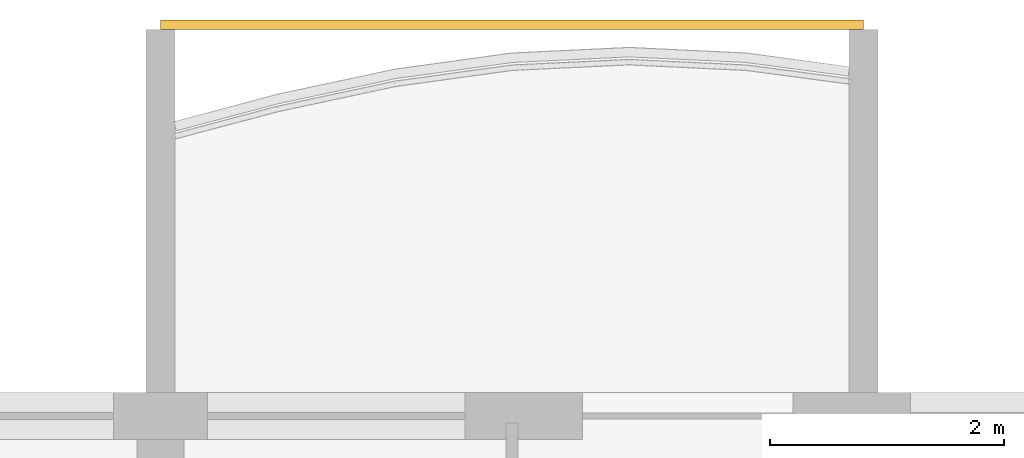
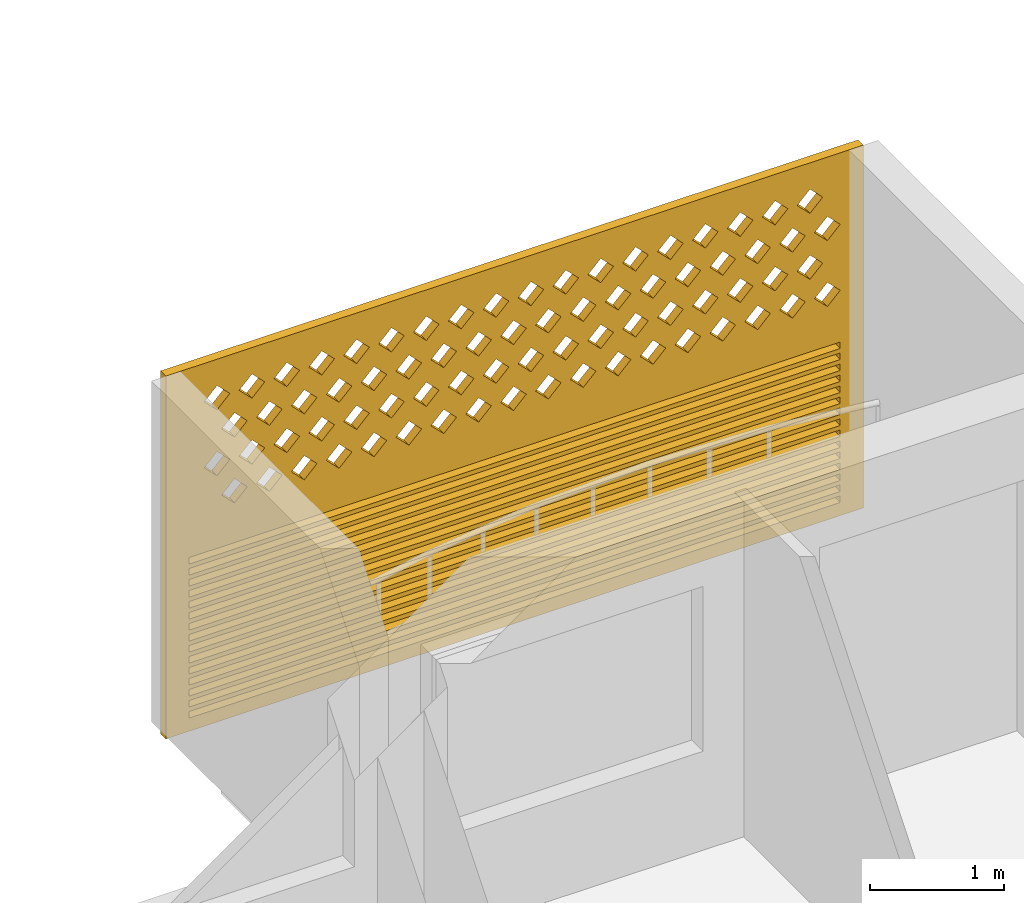
# One storey, part 29 of 40: 1 covering.
"""IFC4 building model written with IfcOpenShell, lengths in metres."""

from ifc_helpers import new_model, si_unit, direction, frame, origin, place, context, subcontext, project, spatial, polyline, outline, extrude, source, transform, mapped, material, material_profile, profile_set, type_object, element, save


model = new_model("IFC4")

# Units and contexts
model_context = context("Model", 3, precision=1e-05, world=origin(), true_north=direction((0.0, 1.0)))
body_context = subcontext(model_context, "Body", "Model", "MODEL_VIEW")
ifc_project = project(units=[si_unit("LENGTHUNIT", "METRE"), si_unit("AREAUNIT", "SQUARE_METRE"), si_unit("VOLUMEUNIT", "CUBIC_METRE"), si_unit("PLANEANGLEUNIT", "RADIAN"), si_unit("MASSUNIT", "GRAM", prefix="KILO")], contexts=[model_context])

# Site, building, storey
site_placement = place(None, origin())
site = spatial("IfcSite", under=ifc_project, at=site_placement, CompositionType="ELEMENT")
building_placement = place(site_placement, origin())
building = spatial("IfcBuilding", under=site, at=building_placement, Name="Poui Terraces", CompositionType="ELEMENT")
storey_placement = place(building_placement, frame((0.0, 0.0, 33.300048828125)))
storey = spatial("IfcBuildingStorey", under=building, at=storey_placement, Name="L08", CompositionType="ELEMENT", Elevation=33.300048828125)

# Covering
ifc_material = material(Name="Terracotta screen", Category="masonry")
ifc_material_profile = material_profile(ifc_material, outline(polyline([(-3.0, -1.64990234375), (3.0, -1.64990234375), (3.0, 1.64990234375), (-3.0, 1.64990234375), (-3.0, -1.64990234375)]), holes=[polyline([(-2.800048828125, 0.39990234375), (-2.68994140625, 0.2900390625), (-2.580078125, 0.39990234375), (-2.68994140625, 0.510009765625), (-2.800048828125, 0.39990234375)]), polyline([(-2.5, 0.39990234375), (-2.389892578125, 0.2900390625), (-2.280029296875, 0.39990234375), (-2.389892578125, 0.510009765625), (-2.5, 0.39990234375)]), polyline([(-2.199951171875, 0.39990234375), (-2.090087890625, 0.2900390625), (-1.97998046875, 0.39990234375), (-2.090087890625, 0.510009765625), (-2.199951171875, 0.39990234375)]), polyline([(-1.89990234375, 0.39990234375), (-1.7900390625, 0.2900390625), (-1.679931640625, 0.39990234375), (-1.7900390625, 0.510009765625), (-1.89990234375, 0.39990234375)]), polyline([(-1.60009765625, 0.39990234375), (-1.489990234375, 0.2900390625), (-1.3798828125, 0.39990234375), (-1.489990234375, 0.510009765625), (-1.60009765625, 0.39990234375)]), polyline([(-1.300048828125, 0.39990234375), (-1.18994140625, 0.2900390625), (-1.080078125, 0.39990234375), (-1.18994140625, 0.510009765625), (-1.300048828125, 0.39990234375)]), polyline([(-1.0, 0.39990234375), (-0.889892578125, 0.2900390625), (-0.780029296875, 0.39990234375), (-0.889892578125, 0.510009765625), (-1.0, 0.39990234375)]), polyline([(-0.699951171875, 0.39990234375), (-0.590087890625, 0.2900390625), (-0.47998046875, 0.39990234375), (-0.590087890625, 0.510009765625), (-0.699951171875, 0.39990234375)]), polyline([(-0.39990234375, 0.39990234375), (-0.2900390625, 0.2900390625), (-0.179931640625, 0.39990234375), (-0.2900390625, 0.510009765625), (-0.39990234375, 0.39990234375)]), polyline([(-0.10009765625, 0.39990234375), (0.010009765625, 0.2900390625), (0.1201171875, 0.39990234375), (0.010009765625, 0.510009765625), (-0.10009765625, 0.39990234375)]), polyline([(0.199951171875, 0.39990234375), (0.31005859375, 0.2900390625), (0.419921875, 0.39990234375), (0.31005859375, 0.510009765625), (0.199951171875, 0.39990234375)]), polyline([(0.5, 0.39990234375), (0.610107421875, 0.2900390625), (0.719970703125, 0.39990234375), (0.610107421875, 0.510009765625), (0.5, 0.39990234375)]), polyline([(0.800048828125, 0.39990234375), (0.909912109375, 0.2900390625), (1.02001953125, 0.39990234375), (0.909912109375, 0.510009765625), (0.800048828125, 0.39990234375)]), polyline([(1.10009765625, 0.39990234375), (1.2099609375, 0.2900390625), (1.320068359375, 0.39990234375), (1.2099609375, 0.510009765625), (1.10009765625, 0.39990234375)]), polyline([(1.39990234375, 0.39990234375), (1.510009765625, 0.2900390625), (1.6201171875, 0.39990234375), (1.510009765625, 0.510009765625), (1.39990234375, 0.39990234375)]), polyline([(1.699951171875, 0.39990234375), (1.81005859375, 0.2900390625), (1.919921875, 0.39990234375), (1.81005859375, 0.510009765625), (1.699951171875, 0.39990234375)]), polyline([(2.0, 0.39990234375), (2.110107421875, 0.2900390625), (2.219970703125, 0.39990234375), (2.110107421875, 0.510009765625), (2.0, 0.39990234375)]), polyline([(2.300048828125, 0.39990234375), (2.409912109375, 0.2900390625), (2.52001953125, 0.39990234375), (2.409912109375, 0.510009765625), (2.300048828125, 0.39990234375)]), polyline([(-2.64990234375, 0.699951171875), (-2.5400390625, 0.590087890625), (-2.429931640625, 0.699951171875), (-2.5400390625, 0.81005859375), (-2.64990234375, 0.699951171875)]), polyline([(-2.35009765625, 0.699951171875), (-2.239990234375, 0.590087890625), (-2.1298828125, 0.699951171875), (-2.239990234375, 0.81005859375), (-2.35009765625, 0.699951171875)]), polyline([(-2.050048828125, 0.699951171875), (-1.93994140625, 0.590087890625), (-1.830078125, 0.699951171875), (-1.93994140625, 0.81005859375), (-2.050048828125, 0.699951171875)]), polyline([(-1.75, 0.699951171875), (-1.639892578125, 0.590087890625), (-1.530029296875, 0.699951171875), (-1.639892578125, 0.81005859375), (-1.75, 0.699951171875)]), polyline([(-1.449951171875, 0.699951171875), (-1.340087890625, 0.590087890625), (-1.22998046875, 0.699951171875), (-1.340087890625, 0.81005859375), (-1.449951171875, 0.699951171875)]), polyline([(-1.14990234375, 0.699951171875), (-1.0400390625, 0.590087890625), (-0.929931640625, 0.699951171875), (-1.0400390625, 0.81005859375), (-1.14990234375, 0.699951171875)]), polyline([(-0.85009765625, 0.699951171875), (-0.739990234375, 0.590087890625), (-0.6298828125, 0.699951171875), (-0.739990234375, 0.81005859375), (-0.85009765625, 0.699951171875)]), polyline([(-0.550048828125, 0.699951171875), (-0.43994140625, 0.590087890625), (-0.330078125, 0.699951171875), (-0.43994140625, 0.81005859375), (-0.550048828125, 0.699951171875)]), polyline([(-0.25, 0.699951171875), (-0.139892578125, 0.590087890625), (-0.030029296875, 0.699951171875), (-0.139892578125, 0.81005859375), (-0.25, 0.699951171875)]), polyline([(0.050048828125, 0.699951171875), (0.159912109375, 0.590087890625), (0.27001953125, 0.699951171875), (0.159912109375, 0.81005859375), (0.050048828125, 0.699951171875)]), polyline([(0.35009765625, 0.699951171875), (0.4599609375, 0.590087890625), (0.570068359375, 0.699951171875), (0.4599609375, 0.81005859375), (0.35009765625, 0.699951171875)]), polyline([(0.64990234375, 0.699951171875), (0.760009765625, 0.590087890625), (0.8701171875, 0.699951171875), (0.760009765625, 0.81005859375), (0.64990234375, 0.699951171875)]), polyline([(0.949951171875, 0.699951171875), (1.06005859375, 0.590087890625), (1.169921875, 0.699951171875), (1.06005859375, 0.81005859375), (0.949951171875, 0.699951171875)]), polyline([(1.25, 0.699951171875), (1.360107421875, 0.590087890625), (1.469970703125, 0.699951171875), (1.360107421875, 0.81005859375), (1.25, 0.699951171875)]), polyline([(1.550048828125, 0.699951171875), (1.659912109375, 0.590087890625), (1.77001953125, 0.699951171875), (1.659912109375, 0.81005859375), (1.550048828125, 0.699951171875)]), polyline([(1.85009765625, 0.699951171875), (1.9599609375, 0.590087890625), (2.070068359375, 0.699951171875), (1.9599609375, 0.81005859375), (1.85009765625, 0.699951171875)]), polyline([(2.14990234375, 0.699951171875), (2.260009765625, 0.590087890625), (2.3701171875, 0.699951171875), (2.260009765625, 0.81005859375), (2.14990234375, 0.699951171875)]), polyline([(2.449951171875, 0.699951171875), (2.56005859375, 0.590087890625), (2.669921875, 0.699951171875), (2.56005859375, 0.81005859375), (2.449951171875, 0.699951171875)]), polyline([(-2.800048828125, 1.0), (-2.68994140625, 0.889892578125), (-2.580078125, 1.0), (-2.68994140625, 1.110107421875), (-2.800048828125, 1.0)]), polyline([(-2.5, 1.0), (-2.389892578125, 0.889892578125), (-2.280029296875, 1.0), (-2.389892578125, 1.110107421875), (-2.5, 1.0)]), polyline([(-2.199951171875, 1.0), (-2.090087890625, 0.889892578125), (-1.97998046875, 1.0), (-2.090087890625, 1.110107421875), (-2.199951171875, 1.0)]), polyline([(-1.89990234375, 1.0), (-1.7900390625, 0.889892578125), (-1.679931640625, 1.0), (-1.7900390625, 1.110107421875), (-1.89990234375, 1.0)]), polyline([(-1.60009765625, 1.0), (-1.489990234375, 0.889892578125), (-1.3798828125, 1.0), (-1.489990234375, 1.110107421875), (-1.60009765625, 1.0)]), polyline([(-1.300048828125, 1.0), (-1.18994140625, 0.889892578125), (-1.080078125, 1.0), (-1.18994140625, 1.110107421875), (-1.300048828125, 1.0)]), polyline([(-1.0, 1.0), (-0.889892578125, 0.889892578125), (-0.780029296875, 1.0), (-0.889892578125, 1.110107421875), (-1.0, 1.0)]), polyline([(-0.699951171875, 1.0), (-0.590087890625, 0.889892578125), (-0.47998046875, 1.0), (-0.590087890625, 1.110107421875), (-0.699951171875, 1.0)]), polyline([(-0.39990234375, 1.0), (-0.2900390625, 0.889892578125), (-0.179931640625, 1.0), (-0.2900390625, 1.110107421875), (-0.39990234375, 1.0)]), polyline([(-0.10009765625, 1.0), (0.010009765625, 0.889892578125), (0.1201171875, 1.0), (0.010009765625, 1.110107421875), (-0.10009765625, 1.0)]), polyline([(0.199951171875, 1.0), (0.31005859375, 0.889892578125), (0.419921875, 1.0), (0.31005859375, 1.110107421875), (0.199951171875, 1.0)]), polyline([(0.5, 1.0), (0.610107421875, 0.889892578125), (0.719970703125, 1.0), (0.610107421875, 1.110107421875), (0.5, 1.0)]), polyline([(0.800048828125, 1.0), (0.909912109375, 0.889892578125), (1.02001953125, 1.0), (0.909912109375, 1.110107421875), (0.800048828125, 1.0)]), polyline([(1.10009765625, 1.0), (1.2099609375, 0.889892578125), (1.320068359375, 1.0), (1.2099609375, 1.110107421875), (1.10009765625, 1.0)]), polyline([(1.39990234375, 1.0), (1.510009765625, 0.889892578125), (1.6201171875, 1.0), (1.510009765625, 1.110107421875), (1.39990234375, 1.0)]), polyline([(1.699951171875, 1.0), (1.81005859375, 0.889892578125), (1.919921875, 1.0), (1.81005859375, 1.110107421875), (1.699951171875, 1.0)]), polyline([(2.0, 1.0), (2.110107421875, 0.889892578125), (2.219970703125, 1.0), (2.110107421875, 1.110107421875), (2.0, 1.0)]), polyline([(2.300048828125, 1.0), (2.409912109375, 0.889892578125), (2.52001953125, 1.0), (2.409912109375, 1.110107421875), (2.300048828125, 1.0)]), polyline([(-2.64990234375, 1.300048828125), (-2.5400390625, 1.18994140625), (-2.429931640625, 1.300048828125), (-2.5400390625, 1.409912109375), (-2.64990234375, 1.300048828125)]), polyline([(-2.35009765625, 1.300048828125), (-2.239990234375, 1.18994140625), (-2.1298828125, 1.300048828125), (-2.239990234375, 1.409912109375), (-2.35009765625, 1.300048828125)]), polyline([(-2.050048828125, 1.300048828125), (-1.93994140625, 1.18994140625), (-1.830078125, 1.300048828125), (-1.93994140625, 1.409912109375), (-2.050048828125, 1.300048828125)]), polyline([(-1.75, 1.300048828125), (-1.639892578125, 1.18994140625), (-1.530029296875, 1.300048828125), (-1.639892578125, 1.409912109375), (-1.75, 1.300048828125)]), polyline([(-1.449951171875, 1.300048828125), (-1.340087890625, 1.18994140625), (-1.22998046875, 1.300048828125), (-1.340087890625, 1.409912109375), (-1.449951171875, 1.300048828125)]), polyline([(-1.14990234375, 1.300048828125), (-1.0400390625, 1.18994140625), (-0.929931640625, 1.300048828125), (-1.0400390625, 1.409912109375), (-1.14990234375, 1.300048828125)]), polyline([(-0.85009765625, 1.300048828125), (-0.739990234375, 1.18994140625), (-0.6298828125, 1.300048828125), (-0.739990234375, 1.409912109375), (-0.85009765625, 1.300048828125)]), polyline([(-0.550048828125, 1.300048828125), (-0.43994140625, 1.18994140625), (-0.330078125, 1.300048828125), (-0.43994140625, 1.409912109375), (-0.550048828125, 1.300048828125)]), polyline([(-0.25, 1.300048828125), (-0.139892578125, 1.18994140625), (-0.030029296875, 1.300048828125), (-0.139892578125, 1.409912109375), (-0.25, 1.300048828125)]), polyline([(0.050048828125, 1.300048828125), (0.159912109375, 1.18994140625), (0.27001953125, 1.300048828125), (0.159912109375, 1.409912109375), (0.050048828125, 1.300048828125)]), polyline([(0.35009765625, 1.300048828125), (0.4599609375, 1.18994140625), (0.570068359375, 1.300048828125), (0.4599609375, 1.409912109375), (0.35009765625, 1.300048828125)]), polyline([(0.64990234375, 1.300048828125), (0.760009765625, 1.18994140625), (0.8701171875, 1.300048828125), (0.760009765625, 1.409912109375), (0.64990234375, 1.300048828125)]), polyline([(0.949951171875, 1.300048828125), (1.06005859375, 1.18994140625), (1.169921875, 1.300048828125), (1.06005859375, 1.409912109375), (0.949951171875, 1.300048828125)]), polyline([(1.25, 1.300048828125), (1.360107421875, 1.18994140625), (1.469970703125, 1.300048828125), (1.360107421875, 1.409912109375), (1.25, 1.300048828125)]), polyline([(1.550048828125, 1.300048828125), (1.659912109375, 1.18994140625), (1.77001953125, 1.300048828125), (1.659912109375, 1.409912109375), (1.550048828125, 1.300048828125)]), polyline([(1.85009765625, 1.300048828125), (1.9599609375, 1.18994140625), (2.070068359375, 1.300048828125), (1.9599609375, 1.409912109375), (1.85009765625, 1.300048828125)]), polyline([(2.14990234375, 1.300048828125), (2.260009765625, 1.18994140625), (2.3701171875, 1.300048828125), (2.260009765625, 1.409912109375), (2.14990234375, 1.300048828125)]), polyline([(2.449951171875, 1.300048828125), (2.56005859375, 1.18994140625), (2.669921875, 1.300048828125), (2.56005859375, 1.409912109375), (2.449951171875, 1.300048828125)]), polyline([(-2.800048828125, -1.530029296875), (2.800048828125, -1.530029296875), (2.800048828125, -1.469970703125), (-2.800048828125, -1.469970703125), (-2.800048828125, -1.530029296875)]), polyline([(-2.800048828125, -1.429931640625), (2.800048828125, -1.429931640625), (2.800048828125, -1.3701171875), (-2.800048828125, -1.3701171875), (-2.800048828125, -1.429931640625)]), polyline([(-2.800048828125, -1.330078125), (2.800048828125, -1.330078125), (2.800048828125, -1.27001953125), (-2.800048828125, -1.27001953125), (-2.800048828125, -1.330078125)]), polyline([(-2.800048828125, -1.22998046875), (2.800048828125, -1.22998046875), (2.800048828125, -1.169921875), (-2.800048828125, -1.169921875), (-2.800048828125, -1.22998046875)]), polyline([(-2.800048828125, -1.1298828125), (2.800048828125, -1.1298828125), (2.800048828125, -1.070068359375), (-2.800048828125, -1.070068359375), (-2.800048828125, -1.1298828125)]), polyline([(-2.800048828125, -1.030029296875), (2.800048828125, -1.030029296875), (2.800048828125, -0.969970703125), (-2.800048828125, -0.969970703125), (-2.800048828125, -1.030029296875)]), polyline([(-2.800048828125, -0.929931640625), (2.800048828125, -0.929931640625), (2.800048828125, -0.8701171875), (-2.800048828125, -0.8701171875), (-2.800048828125, -0.929931640625)]), polyline([(-2.800048828125, -0.830078125), (2.800048828125, -0.830078125), (2.800048828125, -0.77001953125), (-2.800048828125, -0.77001953125), (-2.800048828125, -0.830078125)]), polyline([(-2.800048828125, -0.72998046875), (2.800048828125, -0.72998046875), (2.800048828125, -0.669921875), (-2.800048828125, -0.669921875), (-2.800048828125, -0.72998046875)]), polyline([(-2.800048828125, -0.6298828125), (2.800048828125, -0.6298828125), (2.800048828125, -0.570068359375), (-2.800048828125, -0.570068359375), (-2.800048828125, -0.6298828125)]), polyline([(-2.800048828125, -0.530029296875), (2.800048828125, -0.530029296875), (2.800048828125, -0.469970703125), (-2.800048828125, -0.469970703125), (-2.800048828125, -0.530029296875)]), polyline([(-2.800048828125, -0.429931640625), (2.800048828125, -0.429931640625), (2.800048828125, -0.3701171875), (-2.800048828125, -0.3701171875), (-2.800048828125, -0.429931640625)]), polyline([(-2.800048828125, -0.330078125), (2.800048828125, -0.330078125), (2.800048828125, -0.27001953125), (-2.800048828125, -0.27001953125), (-2.800048828125, -0.330078125)]), polyline([(-2.800048828125, -0.22998046875), (2.800048828125, -0.22998046875), (2.800048828125, -0.169921875), (-2.800048828125, -0.169921875), (-2.800048828125, -0.22998046875)]), polyline([(-2.800048828125, -0.1298828125), (2.800048828125, -0.1298828125), (2.800048828125, -0.070068359375), (-2.800048828125, -0.070068359375), (-2.800048828125, -0.1298828125)])]), Name="TERRACOTTA SCREEN AND JALOUSIE LOUVRE 6000X3300")
ifc_profile_set = profile_set([ifc_material_profile], Name="Terracotta screen")
covering_type = type_object("IfcCoveringType", Name="TERRACOTTA SCREEN AND JALOUSIE LOUVRE 6000X3300", PredefinedType="CLADDING", material=ifc_profile_set)
shared_shape = source(origin(), body_context, "Body", "SweptSolid", [
    extrude(outline(polyline([(-3.0, -1.64990234375), (3.0, -1.64990234375), (3.0, 1.64990234375), (-3.0, 1.64990234375), (-3.0, -1.64990234375)]), holes=[polyline([(-2.800048828125, 0.39990234375), (-2.68994140625, 0.2900390625), (-2.580078125, 0.39990234375), (-2.68994140625, 0.510009765625), (-2.800048828125, 0.39990234375)]), polyline([(-2.5, 0.39990234375), (-2.389892578125, 0.2900390625), (-2.280029296875, 0.39990234375), (-2.389892578125, 0.510009765625), (-2.5, 0.39990234375)]), polyline([(-2.199951171875, 0.39990234375), (-2.090087890625, 0.2900390625), (-1.97998046875, 0.39990234375), (-2.090087890625, 0.510009765625), (-2.199951171875, 0.39990234375)]), polyline([(-1.89990234375, 0.39990234375), (-1.7900390625, 0.2900390625), (-1.679931640625, 0.39990234375), (-1.7900390625, 0.510009765625), (-1.89990234375, 0.39990234375)]), polyline([(-1.60009765625, 0.39990234375), (-1.489990234375, 0.2900390625), (-1.3798828125, 0.39990234375), (-1.489990234375, 0.510009765625), (-1.60009765625, 0.39990234375)]), polyline([(-1.300048828125, 0.39990234375), (-1.18994140625, 0.2900390625), (-1.080078125, 0.39990234375), (-1.18994140625, 0.510009765625), (-1.300048828125, 0.39990234375)]), polyline([(-1.0, 0.39990234375), (-0.889892578125, 0.2900390625), (-0.780029296875, 0.39990234375), (-0.889892578125, 0.510009765625), (-1.0, 0.39990234375)]), polyline([(-0.699951171875, 0.39990234375), (-0.590087890625, 0.2900390625), (-0.47998046875, 0.39990234375), (-0.590087890625, 0.510009765625), (-0.699951171875, 0.39990234375)]), polyline([(-0.39990234375, 0.39990234375), (-0.2900390625, 0.2900390625), (-0.179931640625, 0.39990234375), (-0.2900390625, 0.510009765625), (-0.39990234375, 0.39990234375)]), polyline([(-0.10009765625, 0.39990234375), (0.010009765625, 0.2900390625), (0.1201171875, 0.39990234375), (0.010009765625, 0.510009765625), (-0.10009765625, 0.39990234375)]), polyline([(0.199951171875, 0.39990234375), (0.31005859375, 0.2900390625), (0.419921875, 0.39990234375), (0.31005859375, 0.510009765625), (0.199951171875, 0.39990234375)]), polyline([(0.5, 0.39990234375), (0.610107421875, 0.2900390625), (0.719970703125, 0.39990234375), (0.610107421875, 0.510009765625), (0.5, 0.39990234375)]), polyline([(0.800048828125, 0.39990234375), (0.909912109375, 0.2900390625), (1.02001953125, 0.39990234375), (0.909912109375, 0.510009765625), (0.800048828125, 0.39990234375)]), polyline([(1.10009765625, 0.39990234375), (1.2099609375, 0.2900390625), (1.320068359375, 0.39990234375), (1.2099609375, 0.510009765625), (1.10009765625, 0.39990234375)]), polyline([(1.39990234375, 0.39990234375), (1.510009765625, 0.2900390625), (1.6201171875, 0.39990234375), (1.510009765625, 0.510009765625), (1.39990234375, 0.39990234375)]), polyline([(1.699951171875, 0.39990234375), (1.81005859375, 0.2900390625), (1.919921875, 0.39990234375), (1.81005859375, 0.510009765625), (1.699951171875, 0.39990234375)]), polyline([(2.0, 0.39990234375), (2.110107421875, 0.2900390625), (2.219970703125, 0.39990234375), (2.110107421875, 0.510009765625), (2.0, 0.39990234375)]), polyline([(2.300048828125, 0.39990234375), (2.409912109375, 0.2900390625), (2.52001953125, 0.39990234375), (2.409912109375, 0.510009765625), (2.300048828125, 0.39990234375)]), polyline([(-2.64990234375, 0.699951171875), (-2.5400390625, 0.590087890625), (-2.429931640625, 0.699951171875), (-2.5400390625, 0.81005859375), (-2.64990234375, 0.699951171875)]), polyline([(-2.35009765625, 0.699951171875), (-2.239990234375, 0.590087890625), (-2.1298828125, 0.699951171875), (-2.239990234375, 0.81005859375), (-2.35009765625, 0.699951171875)]), polyline([(-2.050048828125, 0.699951171875), (-1.93994140625, 0.590087890625), (-1.830078125, 0.699951171875), (-1.93994140625, 0.81005859375), (-2.050048828125, 0.699951171875)]), polyline([(-1.75, 0.699951171875), (-1.639892578125, 0.590087890625), (-1.530029296875, 0.699951171875), (-1.639892578125, 0.81005859375), (-1.75, 0.699951171875)]), polyline([(-1.449951171875, 0.699951171875), (-1.340087890625, 0.590087890625), (-1.22998046875, 0.699951171875), (-1.340087890625, 0.81005859375), (-1.449951171875, 0.699951171875)]), polyline([(-1.14990234375, 0.699951171875), (-1.0400390625, 0.590087890625), (-0.929931640625, 0.699951171875), (-1.0400390625, 0.81005859375), (-1.14990234375, 0.699951171875)]), polyline([(-0.85009765625, 0.699951171875), (-0.739990234375, 0.590087890625), (-0.6298828125, 0.699951171875), (-0.739990234375, 0.81005859375), (-0.85009765625, 0.699951171875)]), polyline([(-0.550048828125, 0.699951171875), (-0.43994140625, 0.590087890625), (-0.330078125, 0.699951171875), (-0.43994140625, 0.81005859375), (-0.550048828125, 0.699951171875)]), polyline([(-0.25, 0.699951171875), (-0.139892578125, 0.590087890625), (-0.030029296875, 0.699951171875), (-0.139892578125, 0.81005859375), (-0.25, 0.699951171875)]), polyline([(0.050048828125, 0.699951171875), (0.159912109375, 0.590087890625), (0.27001953125, 0.699951171875), (0.159912109375, 0.81005859375), (0.050048828125, 0.699951171875)]), polyline([(0.35009765625, 0.699951171875), (0.4599609375, 0.590087890625), (0.570068359375, 0.699951171875), (0.4599609375, 0.81005859375), (0.35009765625, 0.699951171875)]), polyline([(0.64990234375, 0.699951171875), (0.760009765625, 0.590087890625), (0.8701171875, 0.699951171875), (0.760009765625, 0.81005859375), (0.64990234375, 0.699951171875)]), polyline([(0.949951171875, 0.699951171875), (1.06005859375, 0.590087890625), (1.169921875, 0.699951171875), (1.06005859375, 0.81005859375), (0.949951171875, 0.699951171875)]), polyline([(1.25, 0.699951171875), (1.360107421875, 0.590087890625), (1.469970703125, 0.699951171875), (1.360107421875, 0.81005859375), (1.25, 0.699951171875)]), polyline([(1.550048828125, 0.699951171875), (1.659912109375, 0.590087890625), (1.77001953125, 0.699951171875), (1.659912109375, 0.81005859375), (1.550048828125, 0.699951171875)]), polyline([(1.85009765625, 0.699951171875), (1.9599609375, 0.590087890625), (2.070068359375, 0.699951171875), (1.9599609375, 0.81005859375), (1.85009765625, 0.699951171875)]), polyline([(2.14990234375, 0.699951171875), (2.260009765625, 0.590087890625), (2.3701171875, 0.699951171875), (2.260009765625, 0.81005859375), (2.14990234375, 0.699951171875)]), polyline([(2.449951171875, 0.699951171875), (2.56005859375, 0.590087890625), (2.669921875, 0.699951171875), (2.56005859375, 0.81005859375), (2.449951171875, 0.699951171875)]), polyline([(-2.800048828125, 1.0), (-2.68994140625, 0.889892578125), (-2.580078125, 1.0), (-2.68994140625, 1.110107421875), (-2.800048828125, 1.0)]), polyline([(-2.5, 1.0), (-2.389892578125, 0.889892578125), (-2.280029296875, 1.0), (-2.389892578125, 1.110107421875), (-2.5, 1.0)]), polyline([(-2.199951171875, 1.0), (-2.090087890625, 0.889892578125), (-1.97998046875, 1.0), (-2.090087890625, 1.110107421875), (-2.199951171875, 1.0)]), polyline([(-1.89990234375, 1.0), (-1.7900390625, 0.889892578125), (-1.679931640625, 1.0), (-1.7900390625, 1.110107421875), (-1.89990234375, 1.0)]), polyline([(-1.60009765625, 1.0), (-1.489990234375, 0.889892578125), (-1.3798828125, 1.0), (-1.489990234375, 1.110107421875), (-1.60009765625, 1.0)]), polyline([(-1.300048828125, 1.0), (-1.18994140625, 0.889892578125), (-1.080078125, 1.0), (-1.18994140625, 1.110107421875), (-1.300048828125, 1.0)]), polyline([(-1.0, 1.0), (-0.889892578125, 0.889892578125), (-0.780029296875, 1.0), (-0.889892578125, 1.110107421875), (-1.0, 1.0)]), polyline([(-0.699951171875, 1.0), (-0.590087890625, 0.889892578125), (-0.47998046875, 1.0), (-0.590087890625, 1.110107421875), (-0.699951171875, 1.0)]), polyline([(-0.39990234375, 1.0), (-0.2900390625, 0.889892578125), (-0.179931640625, 1.0), (-0.2900390625, 1.110107421875), (-0.39990234375, 1.0)]), polyline([(-0.10009765625, 1.0), (0.010009765625, 0.889892578125), (0.1201171875, 1.0), (0.010009765625, 1.110107421875), (-0.10009765625, 1.0)]), polyline([(0.199951171875, 1.0), (0.31005859375, 0.889892578125), (0.419921875, 1.0), (0.31005859375, 1.110107421875), (0.199951171875, 1.0)]), polyline([(0.5, 1.0), (0.610107421875, 0.889892578125), (0.719970703125, 1.0), (0.610107421875, 1.110107421875), (0.5, 1.0)]), polyline([(0.800048828125, 1.0), (0.909912109375, 0.889892578125), (1.02001953125, 1.0), (0.909912109375, 1.110107421875), (0.800048828125, 1.0)]), polyline([(1.10009765625, 1.0), (1.2099609375, 0.889892578125), (1.320068359375, 1.0), (1.2099609375, 1.110107421875), (1.10009765625, 1.0)]), polyline([(1.39990234375, 1.0), (1.510009765625, 0.889892578125), (1.6201171875, 1.0), (1.510009765625, 1.110107421875), (1.39990234375, 1.0)]), polyline([(1.699951171875, 1.0), (1.81005859375, 0.889892578125), (1.919921875, 1.0), (1.81005859375, 1.110107421875), (1.699951171875, 1.0)]), polyline([(2.0, 1.0), (2.110107421875, 0.889892578125), (2.219970703125, 1.0), (2.110107421875, 1.110107421875), (2.0, 1.0)]), polyline([(2.300048828125, 1.0), (2.409912109375, 0.889892578125), (2.52001953125, 1.0), (2.409912109375, 1.110107421875), (2.300048828125, 1.0)]), polyline([(-2.64990234375, 1.300048828125), (-2.5400390625, 1.18994140625), (-2.429931640625, 1.300048828125), (-2.5400390625, 1.409912109375), (-2.64990234375, 1.300048828125)]), polyline([(-2.35009765625, 1.300048828125), (-2.239990234375, 1.18994140625), (-2.1298828125, 1.300048828125), (-2.239990234375, 1.409912109375), (-2.35009765625, 1.300048828125)]), polyline([(-2.050048828125, 1.300048828125), (-1.93994140625, 1.18994140625), (-1.830078125, 1.300048828125), (-1.93994140625, 1.409912109375), (-2.050048828125, 1.300048828125)]), polyline([(-1.75, 1.300048828125), (-1.639892578125, 1.18994140625), (-1.530029296875, 1.300048828125), (-1.639892578125, 1.409912109375), (-1.75, 1.300048828125)]), polyline([(-1.449951171875, 1.300048828125), (-1.340087890625, 1.18994140625), (-1.22998046875, 1.300048828125), (-1.340087890625, 1.409912109375), (-1.449951171875, 1.300048828125)]), polyline([(-1.14990234375, 1.300048828125), (-1.0400390625, 1.18994140625), (-0.929931640625, 1.300048828125), (-1.0400390625, 1.409912109375), (-1.14990234375, 1.300048828125)]), polyline([(-0.85009765625, 1.300048828125), (-0.739990234375, 1.18994140625), (-0.6298828125, 1.300048828125), (-0.739990234375, 1.409912109375), (-0.85009765625, 1.300048828125)]), polyline([(-0.550048828125, 1.300048828125), (-0.43994140625, 1.18994140625), (-0.330078125, 1.300048828125), (-0.43994140625, 1.409912109375), (-0.550048828125, 1.300048828125)]), polyline([(-0.25, 1.300048828125), (-0.139892578125, 1.18994140625), (-0.030029296875, 1.300048828125), (-0.139892578125, 1.409912109375), (-0.25, 1.300048828125)]), polyline([(0.050048828125, 1.300048828125), (0.159912109375, 1.18994140625), (0.27001953125, 1.300048828125), (0.159912109375, 1.409912109375), (0.050048828125, 1.300048828125)]), polyline([(0.35009765625, 1.300048828125), (0.4599609375, 1.18994140625), (0.570068359375, 1.300048828125), (0.4599609375, 1.409912109375), (0.35009765625, 1.300048828125)]), polyline([(0.64990234375, 1.300048828125), (0.760009765625, 1.18994140625), (0.8701171875, 1.300048828125), (0.760009765625, 1.409912109375), (0.64990234375, 1.300048828125)]), polyline([(0.949951171875, 1.300048828125), (1.06005859375, 1.18994140625), (1.169921875, 1.300048828125), (1.06005859375, 1.409912109375), (0.949951171875, 1.300048828125)]), polyline([(1.25, 1.300048828125), (1.360107421875, 1.18994140625), (1.469970703125, 1.300048828125), (1.360107421875, 1.409912109375), (1.25, 1.300048828125)]), polyline([(1.550048828125, 1.300048828125), (1.659912109375, 1.18994140625), (1.77001953125, 1.300048828125), (1.659912109375, 1.409912109375), (1.550048828125, 1.300048828125)]), polyline([(1.85009765625, 1.300048828125), (1.9599609375, 1.18994140625), (2.070068359375, 1.300048828125), (1.9599609375, 1.409912109375), (1.85009765625, 1.300048828125)]), polyline([(2.14990234375, 1.300048828125), (2.260009765625, 1.18994140625), (2.3701171875, 1.300048828125), (2.260009765625, 1.409912109375), (2.14990234375, 1.300048828125)]), polyline([(2.449951171875, 1.300048828125), (2.56005859375, 1.18994140625), (2.669921875, 1.300048828125), (2.56005859375, 1.409912109375), (2.449951171875, 1.300048828125)]), polyline([(-2.800048828125, -1.530029296875), (2.800048828125, -1.530029296875), (2.800048828125, -1.469970703125), (-2.800048828125, -1.469970703125), (-2.800048828125, -1.530029296875)]), polyline([(-2.800048828125, -1.429931640625), (2.800048828125, -1.429931640625), (2.800048828125, -1.3701171875), (-2.800048828125, -1.3701171875), (-2.800048828125, -1.429931640625)]), polyline([(-2.800048828125, -1.330078125), (2.800048828125, -1.330078125), (2.800048828125, -1.27001953125), (-2.800048828125, -1.27001953125), (-2.800048828125, -1.330078125)]), polyline([(-2.800048828125, -1.22998046875), (2.800048828125, -1.22998046875), (2.800048828125, -1.169921875), (-2.800048828125, -1.169921875), (-2.800048828125, -1.22998046875)]), polyline([(-2.800048828125, -1.1298828125), (2.800048828125, -1.1298828125), (2.800048828125, -1.070068359375), (-2.800048828125, -1.070068359375), (-2.800048828125, -1.1298828125)]), polyline([(-2.800048828125, -1.030029296875), (2.800048828125, -1.030029296875), (2.800048828125, -0.969970703125), (-2.800048828125, -0.969970703125), (-2.800048828125, -1.030029296875)]), polyline([(-2.800048828125, -0.929931640625), (2.800048828125, -0.929931640625), (2.800048828125, -0.8701171875), (-2.800048828125, -0.8701171875), (-2.800048828125, -0.929931640625)]), polyline([(-2.800048828125, -0.830078125), (2.800048828125, -0.830078125), (2.800048828125, -0.77001953125), (-2.800048828125, -0.77001953125), (-2.800048828125, -0.830078125)]), polyline([(-2.800048828125, -0.72998046875), (2.800048828125, -0.72998046875), (2.800048828125, -0.669921875), (-2.800048828125, -0.669921875), (-2.800048828125, -0.72998046875)]), polyline([(-2.800048828125, -0.6298828125), (2.800048828125, -0.6298828125), (2.800048828125, -0.570068359375), (-2.800048828125, -0.570068359375), (-2.800048828125, -0.6298828125)]), polyline([(-2.800048828125, -0.530029296875), (2.800048828125, -0.530029296875), (2.800048828125, -0.469970703125), (-2.800048828125, -0.469970703125), (-2.800048828125, -0.530029296875)]), polyline([(-2.800048828125, -0.429931640625), (2.800048828125, -0.429931640625), (2.800048828125, -0.3701171875), (-2.800048828125, -0.3701171875), (-2.800048828125, -0.429931640625)]), polyline([(-2.800048828125, -0.330078125), (2.800048828125, -0.330078125), (2.800048828125, -0.27001953125), (-2.800048828125, -0.27001953125), (-2.800048828125, -0.330078125)]), polyline([(-2.800048828125, -0.22998046875), (2.800048828125, -0.22998046875), (2.800048828125, -0.169921875), (-2.800048828125, -0.169921875), (-2.800048828125, -0.22998046875)]), polyline([(-2.800048828125, -0.1298828125), (2.800048828125, -0.1298828125), (2.800048828125, -0.070068359375), (-2.800048828125, -0.070068359375), (-2.800048828125, -0.1298828125)])]), origin(), (0.0, 0.0, 1.0), 0.079833984375),
])
covering_placement = place(storey_placement, frame((51.0, 48.10009765625, 1.449951171875), z_axis=(0.0, 1.0, 0.0), x_axis=(-1.0, 0.0, 0.0)))
element("IfcCovering", 1, at=covering_placement, inside=storey, type_object=covering_type, Name="SOLAR SCREEN AND JALOUSIE LOUVRE", PredefinedType="CLADDING", context=body_context, shape_type="MappedRepresentation", body=[
    mapped(shared_shape, transform((0.0, 0.0, 0.0))),
])

save(model, "model.ifc")
